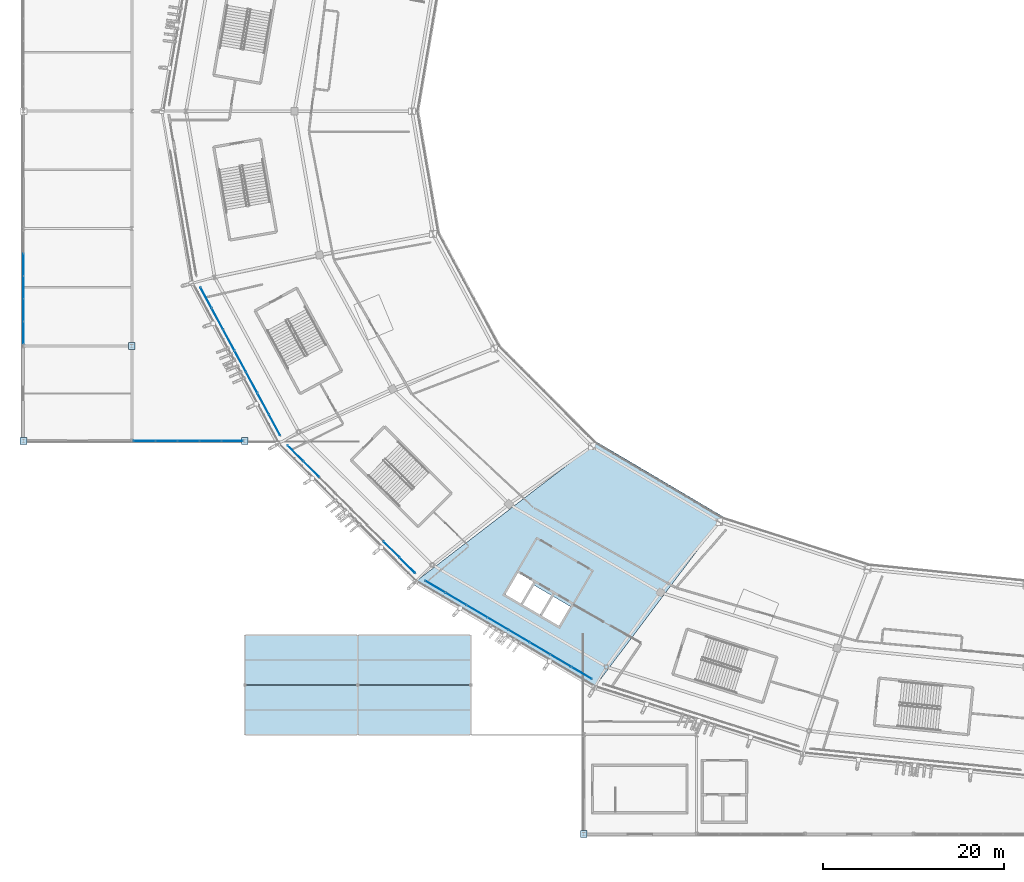
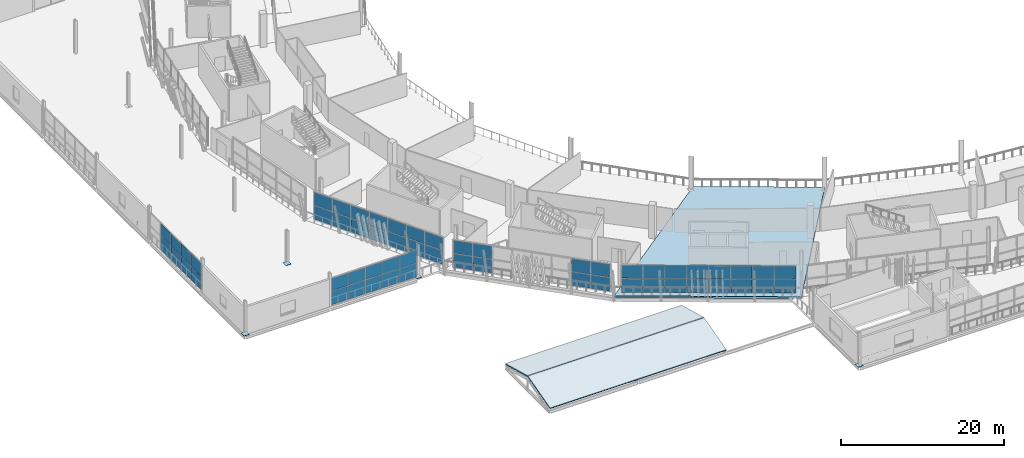
# One storey, part 91 of 179: 60 plates, 3 slabs, 6 elements without a shape of their own.
"""IFC4 building model written with IfcOpenShell, lengths in metres."""

from ifc_helpers import new_model, si_unit, direction, frame, origin, origin_2d, place, context, subcontext, project, spatial, polyline, rectangle, outline, extrude, material, layer, layer_set, type_object, element, aggregate, save


model = new_model("IFC4")

# Units and contexts
model_context = context("Model", 3, precision=1e-05, world=origin(), true_north=direction((0.0, 1.0)))
body_context = subcontext(model_context, "Body", "Model", "MODEL_VIEW")
ifc_project = project(units=[si_unit("LENGTHUNIT", "METRE"), si_unit("AREAUNIT", "SQUARE_METRE"), si_unit("VOLUMEUNIT", "CUBIC_METRE"), si_unit("PLANEANGLEUNIT", "RADIAN"), si_unit("MASSUNIT", "GRAM", prefix="KILO")], contexts=[model_context])

# Site, building, storey
site_placement = place(None, origin())
site = spatial("IfcSite", under=ifc_project, at=site_placement, CompositionType="ELEMENT")
building_placement = place(site_placement, origin())
building = spatial("IfcBuilding", under=site, at=building_placement, Name="Zlatoyarsky Gate Stadium", CompositionType="ELEMENT")
storey_placement = place(building_placement, frame((0.0, 0.0, 10.60009765625)))
storey = spatial("IfcBuildingStorey", under=building, at=storey_placement, Name="L02", CompositionType="ELEMENT", Elevation=10.60009765625)

# Roof, slabs
ifc_material_1 = material(Name="Standing-seam aluminium-zinc roofing with mineral wool insulation", Category="aluminium")
ifc_layer_1 = layer(ifc_material_1, 0.080078125)
ifc_layer_set_1 = layer_set([ifc_layer_1], Name="Standing-seam aluminium-zinc roofing with mineral wool insulation")
roof_type = type_object("IfcRoofType", Name="WINTER GARDEN PAVILION ROOF ASSEMBLY", PredefinedType="PAVILION_ROOF", material=ifc_layer_set_1)
roof_placement = place(storey_placement, origin())
roof = element("IfcRoof", 1, at=roof_placement, inside=storey, type_object=roof_type, Name="V6_SW pavilion roof", PredefinedType="PAVILION_ROOF")
ifc_material_2 = material(Name="Concrete C40/50", Category="concrete")
ifc_layer_2 = layer(ifc_material_2, 0.159912109375)
ifc_layer_set_2 = layer_set([ifc_layer_2], Name="Concrete C40/50")
slab_type_1 = type_object("IfcSlabType", Name="COMPOSITE PORTICO CANOPY SLAB 160", PredefinedType="ROOF", material=ifc_layer_set_2)
slab_1_placement = place(storey_placement, frame((24.5, 11.0, 0.0), z_axis=(0.0, -0.263080822719, 0.964773797694), x_axis=(1.0, 0.0, 0.0)))
slab_1 = element("IfcSlab", 2, at=slab_1_placement, type_object=slab_type_1, Name="V6_SW sloped roof slab 1", PredefinedType="ROOF", context=body_context, shape_type="SweptSolid", body=[
    extrude(outline(polyline([(0.0, 0.0), (25.0, 0.0), (25.0, 5.646917505320693), (0.0, 5.646917505320693), (0.0, 0.0)])), origin(), (0.0, 0.0, -1.0), 0.159912109375),
])
slab_2_placement = place(storey_placement, frame((49.5, 22.0, 0.0), z_axis=(0.0, 0.263080822719, 0.964773797694), x_axis=(-1.0, 0.0, 0.0)))
slab_2 = element("IfcSlab", 3, at=slab_2_placement, type_object=slab_type_1, Name="V6_SW sloped roof slab 2", PredefinedType="ROOF", context=body_context, shape_type="SweptSolid", body=[
    extrude(outline(polyline([(0.0, 0.0), (25.0, 0.0), (25.0, 5.646917505320693), (0.0, 5.646917505320693), (0.0, 0.0)])), origin(), (0.0, 0.0, -1.0), 0.159912109375),
])
aggregate(roof, [slab_1, slab_2])

# Slab
ifc_layer_3 = layer(ifc_material_2, 0.280029296875)
ifc_layer_set_3 = layer_set([ifc_layer_3], Name="Concrete C40/50")
slab_type_2 = type_object("IfcSlabType", Name="CONCRETE HOSPITALITY SLAB 280", PredefinedType="FLOOR", material=ifc_layer_set_3)
slab_3_placement = place(storey_placement, frame((0.0, 0.0, -0.280029296875)))
element("IfcSlab", 4, at=slab_3_placement, inside=storey, type_object=slab_type_2, Name="L02 bowl sector 15 slab", PredefinedType="FLOOR", context=body_context, shape_type="SweptSolid", body=[
    extrude(outline(polyline([(77.39990234375, 35.139892578125), (63.162109375, 16.19482421875), (43.346923828125, 27.9033203125), (63.482421875, 43.371826171875), (77.39990234375, 35.139892578125)]), holes=[polyline([(58.63037109375, 26.29541015625), (57.36669921875, 24.13818359375), (59.264892578125, 23.0263671875), (60.528564453125, 25.183349609375), (58.63037109375, 26.29541015625)]), polyline([(55.252685546875, 25.376708984375), (57.15087890625, 24.2646484375), (58.41455078125, 26.421875), (56.516357421875, 27.53369140625), (55.252685546875, 25.376708984375)]), polyline([(53.311279296875, 26.513916015625), (55.037109375, 25.5029296875), (56.452392578125, 27.9189453125), (54.7265625, 28.929931640625), (53.311279296875, 26.513916015625)])]), origin(), (0.0, 0.0, 1.0), 0.280029296875),
])

# Curtain wall, plates
ifc_material_3 = material(Name="Thermally broken anodised aluminium curtain wall", Category="aluminium")
curtain_wall_type_1 = type_object("IfcCurtainWallType", Name="WINTER GARDEN CONSERVATORY GLAZING", PredefinedType="USERDEFINED", material=ifc_material_3)
curtain_wall_1_placement = place(storey_placement, origin())
curtain_wall_1 = element("IfcCurtainWall", 5, at=curtain_wall_1_placement, inside=storey, type_object=curtain_wall_type_1, Name="Curtain wall CW-V4_WEST-L02-168", ObjectType="UNITISED GLAZING", PredefinedType="USERDEFINED")
ifc_material_4 = material(Name="Anodised aluminium spandrel panel", Category="aluminium")
ifc_layer_4 = layer(ifc_material_4, 0.05810546875)
ifc_layer_set_4 = layer_set([ifc_layer_4], Name="Anodised aluminium spandrel panel")
plate_type_1 = type_object("IfcPlateType", Name="INSULATED ALUMINIUM SPANDREL PANEL 58", PredefinedType="CURTAIN_PANEL", material=ifc_layer_set_4)
plate_1_placement = place(storey_placement, frame((0.0, 55.48583984375, 0.06494140625), z_axis=(0.0, 0.0, 1.0), x_axis=(0.0, 1.0, 0.0)))
plate_1 = element("IfcPlate", 6, at=plate_1_placement, type_object=plate_type_1, Name="CW-WG1 panel 1.1", PredefinedType="CURTAIN_PANEL", context=body_context, shape_type="SweptSolid", body=[
    extrude(rectangle(XDim=2.417724609375, YDim=0.05810546875, at=origin_2d()), origin(), (0.0, 0.0, 1.0), 2.052490234375),
])
plate_2_placement = place(storey_placement, frame((0.0, 55.48583984375, 2.182373046875), z_axis=(0.0, 0.0, 1.0), x_axis=(0.0, 1.0, 0.0)))
plate_2 = element("IfcPlate", 7, at=plate_2_placement, type_object=plate_type_1, Name="CW-WG1 panel 1.2", PredefinedType="CURTAIN_PANEL", context=body_context, shape_type="SweptSolid", body=[
    extrude(rectangle(XDim=2.417724609375, YDim=0.05810546875, at=origin_2d()), origin(), (0.0, 0.0, 1.0), 1.8525390625),
])
plate_3_placement = place(storey_placement, frame((0.0, 57.98486328125, 0.06494140625), z_axis=(0.0, 0.0, 1.0), x_axis=(0.0, 1.0, 0.0)))
plate_3 = element("IfcPlate", 8, at=plate_3_placement, type_object=plate_type_1, Name="CW-WG1 panel 2.1", PredefinedType="CURTAIN_PANEL", context=body_context, shape_type="SweptSolid", body=[
    extrude(rectangle(XDim=2.4501953125, YDim=0.05810546875, at=origin_2d()), origin(), (0.0, 0.0, 1.0), 2.052490234375),
])
plate_4_placement = place(storey_placement, frame((0.0, 57.98486328125, 2.182373046875), z_axis=(0.0, 0.0, 1.0), x_axis=(0.0, 1.0, 0.0)))
plate_4 = element("IfcPlate", 9, at=plate_4_placement, type_object=plate_type_1, Name="CW-WG1 panel 2.2", PredefinedType="CURTAIN_PANEL", context=body_context, shape_type="SweptSolid", body=[
    extrude(rectangle(XDim=2.4501953125, YDim=0.05810546875, at=origin_2d()), origin(), (0.0, 0.0, 1.0), 1.8525390625),
])
plate_5_placement = place(storey_placement, frame((0.0, 60.5, 0.06494140625), z_axis=(0.0, 0.0, 1.0), x_axis=(0.0, 1.0, 0.0)))
plate_5 = element("IfcPlate", 10, at=plate_5_placement, type_object=plate_type_1, Name="CW-WG1 panel 3.1", PredefinedType="CURTAIN_PANEL", context=body_context, shape_type="SweptSolid", body=[
    extrude(rectangle(XDim=2.4501953125, YDim=0.05810546875, at=origin_2d()), origin(), (0.0, 0.0, 1.0), 2.052490234375),
])
plate_6_placement = place(storey_placement, frame((0.0, 60.5, 2.182373046875), z_axis=(0.0, 0.0, 1.0), x_axis=(0.0, 1.0, 0.0)))
plate_6 = element("IfcPlate", 11, at=plate_6_placement, type_object=plate_type_1, Name="CW-WG1 panel 3.2", PredefinedType="CURTAIN_PANEL", context=body_context, shape_type="SweptSolid", body=[
    extrude(rectangle(XDim=2.4501953125, YDim=0.05810546875, at=origin_2d()), origin(), (0.0, 0.0, 1.0), 1.8525390625),
])
plate_7_placement = place(storey_placement, frame((0.0, 63.01513671875, 0.06494140625), z_axis=(0.0, 0.0, 1.0), x_axis=(0.0, 1.0, 0.0)))
plate_7 = element("IfcPlate", 12, at=plate_7_placement, type_object=plate_type_1, Name="CW-WG1 panel 4.1", PredefinedType="CURTAIN_PANEL", context=body_context, shape_type="SweptSolid", body=[
    extrude(rectangle(XDim=2.4501953125, YDim=0.05810546875, at=origin_2d()), origin(), (0.0, 0.0, 1.0), 2.052490234375),
])
plate_8_placement = place(storey_placement, frame((0.0, 63.01513671875, 2.182373046875), z_axis=(0.0, 0.0, 1.0), x_axis=(0.0, 1.0, 0.0)))
plate_8 = element("IfcPlate", 13, at=plate_8_placement, type_object=plate_type_1, Name="CW-WG1 panel 4.2", PredefinedType="CURTAIN_PANEL", context=body_context, shape_type="SweptSolid", body=[
    extrude(rectangle(XDim=2.4501953125, YDim=0.05810546875, at=origin_2d()), origin(), (0.0, 0.0, 1.0), 1.8525390625),
])
aggregate(curtain_wall_1, [plate_1, plate_2, plate_3, plate_4, plate_5, plate_6, plate_7, plate_8])

# Plates
ifc_material_5 = material(Name="Steel S355", Category="steel")
ifc_layer_5 = layer(ifc_material_5, 0.0400390625)
ifc_layer_set_5 = layer_set([ifc_layer_5], Name="Steel S355")
plate_type_2 = type_object("IfcPlateType", Name="STEEL COLUMN BASE PLATE 40", PredefinedType="USERDEFINED", material=ifc_layer_set_5)
for number, where, z_axis, x_axis, name in (
    (14, (0.0, 43.5, 0.0), (0.0, 0.0, 1.0), (1.0, 0.0, 0.0), "Column base plate BP-01 at WG-1-E L02"),
    (15, (12.0, 54.0, 0.0), (0.0, 0.0, 1.0), (1.0, 0.0, 0.0), "Column base plate BP-01 at WG-2-F L02"),
    (16, (24.5, 43.5, 0.0), (0.0, 0.0, 1.0), (1.0, 0.0, 0.0), "Column base plate BP-01 at WG-3-E L02"),
    (17, (62.0, 0.0, 0.0), (0.0, 0.0, 1.0), (1.0, 0.0, 0.0), "Column base plate BP-01 at WG-6-A L02"),
):
    element("IfcPlate", number, at=place(storey_placement, frame(where, z_axis=z_axis, x_axis=x_axis)), inside=storey, type_object=plate_type_2, Name=name, ObjectType="BASE PLATE", PredefinedType="USERDEFINED", context=body_context, shape_type="SweptSolid", body=[
        extrude(rectangle(XDim=0.75, YDim=0.75, at=origin_2d()), origin(), (0.0, 0.0, 1.0), 0.0400390625),
    ])

# Curtain wall, plates
curtain_wall_type_2 = type_object("IfcCurtainWallType", Name="UNITISED HOSPITALITY GLAZING L02", PredefinedType="USERDEFINED", material=ifc_material_3)
curtain_wall_2_placement = place(storey_placement, origin())
curtain_wall_2 = element("IfcCurtainWall", 18, at=curtain_wall_2_placement, inside=storey, type_object=curtain_wall_type_2, Name="Curtain wall CW-L02-13", ObjectType="UNITISED GLAZING", PredefinedType="USERDEFINED")
ifc_material_6 = material(Name="Triple-glazed argon low-e architectural glass", Category="glass")
ifc_layer_6 = layer(ifc_material_6, 0.0380859375)
ifc_layer_set_6 = layer_set([ifc_layer_6], Name="Triple-glazed argon low-e architectural glass")
plate_type_3 = type_object("IfcPlateType", Name="TRIPLE GLAZED LOW E CURTAIN PANEL 38", PredefinedType="CURTAIN_PANEL", material=ifc_layer_set_6)
plate_9_placement = place(storey_placement, frame((20.2099609375, 59.3505859375, 0.06494140625), z_axis=(0.0, 0.0, 1.0), x_axis=(0.474536449165, -0.880235853856, 0.0)))
plate_9 = element("IfcPlate", 19, at=plate_9_placement, type_object=plate_type_3, Name="CW-UG2 panel 1.1", PredefinedType="CURTAIN_PANEL", context=body_context, shape_type="SweptSolid", body=[
    extrude(rectangle(XDim=2.5732421875, YDim=0.0380859375, at=origin_2d()), origin(), (0.0, 0.0, 1.0), 2.052490234375),
])
plate_10_placement = place(storey_placement, frame((20.2099609375, 59.3505859375, 2.1826171875), z_axis=(0.0, 0.0, 1.0), x_axis=(0.474536449165, -0.880235853856, 0.0)))
plate_10 = element("IfcPlate", 20, at=plate_10_placement, type_object=plate_type_3, Name="CW-UG2 panel 1.2", PredefinedType="CURTAIN_PANEL", context=body_context, shape_type="SweptSolid", body=[
    extrude(rectangle(XDim=2.5732421875, YDim=0.0380859375, at=origin_2d()), origin(), (0.0, 0.0, 1.0), 1.952392578125),
])
plate_11_placement = place(storey_placement, frame((21.4697265625, 57.013916015625, 0.06494140625), z_axis=(0.0, 0.0, 1.0), x_axis=(0.474536449165, -0.880235853856, 0.0)))
plate_11 = element("IfcPlate", 21, at=plate_11_placement, type_object=plate_type_3, Name="CW-UG2 panel 2.1", PredefinedType="CURTAIN_PANEL", context=body_context, shape_type="SweptSolid", body=[
    extrude(rectangle(XDim=2.605712890625, YDim=0.0380859375, at=origin_2d()), origin(), (0.0, 0.0, 1.0), 2.052490234375),
])
plate_12_placement = place(storey_placement, frame((21.4697265625, 57.013916015625, 2.1826171875), z_axis=(0.0, 0.0, 1.0), x_axis=(0.474536449165, -0.880235853856, 0.0)))
plate_12 = element("IfcPlate", 22, at=plate_12_placement, type_object=plate_type_3, Name="CW-UG2 panel 2.2", PredefinedType="CURTAIN_PANEL", context=body_context, shape_type="SweptSolid", body=[
    extrude(rectangle(XDim=2.605712890625, YDim=0.0380859375, at=origin_2d()), origin(), (0.0, 0.0, 1.0), 1.952392578125),
])
plate_13_placement = place(storey_placement, frame((22.737060546875, 54.6630859375, 0.06494140625), z_axis=(0.0, 0.0, 1.0), x_axis=(0.474536449165, -0.880235853856, 0.0)))
plate_13 = element("IfcPlate", 23, at=plate_13_placement, type_object=plate_type_3, Name="CW-UG2 panel 3.1", PredefinedType="CURTAIN_PANEL", context=body_context, shape_type="SweptSolid", body=[
    extrude(rectangle(XDim=2.605712890625, YDim=0.0380859375, at=origin_2d()), origin(), (0.0, 0.0, 1.0), 2.052490234375),
])
plate_14_placement = place(storey_placement, frame((22.737060546875, 54.6630859375, 2.1826171875), z_axis=(0.0, 0.0, 1.0), x_axis=(0.474536449165, -0.880235853856, 0.0)))
plate_14 = element("IfcPlate", 24, at=plate_14_placement, type_object=plate_type_3, Name="CW-UG2 panel 3.2", PredefinedType="CURTAIN_PANEL", context=body_context, shape_type="SweptSolid", body=[
    extrude(rectangle(XDim=2.605712890625, YDim=0.0380859375, at=origin_2d()), origin(), (0.0, 0.0, 1.0), 1.952392578125),
])
plate_15_placement = place(storey_placement, frame((24.00439453125, 52.312255859375, 0.06494140625), z_axis=(0.0, 0.0, 1.0), x_axis=(0.474536449165, -0.880235853856, 0.0)))
plate_15 = element("IfcPlate", 25, at=plate_15_placement, type_object=plate_type_3, Name="CW-UG2 panel 4.1", PredefinedType="CURTAIN_PANEL", context=body_context, shape_type="SweptSolid", body=[
    extrude(rectangle(XDim=2.605712890625, YDim=0.0380859375, at=origin_2d()), origin(), (0.0, 0.0, 1.0), 2.052490234375),
])
plate_16_placement = place(storey_placement, frame((24.00439453125, 52.312255859375, 2.1826171875), z_axis=(0.0, 0.0, 1.0), x_axis=(0.474536449165, -0.880235853856, 0.0)))
plate_16 = element("IfcPlate", 26, at=plate_16_placement, type_object=plate_type_3, Name="CW-UG2 panel 4.2", PredefinedType="CURTAIN_PANEL", context=body_context, shape_type="SweptSolid", body=[
    extrude(rectangle(XDim=2.605712890625, YDim=0.0380859375, at=origin_2d()), origin(), (0.0, 0.0, 1.0), 1.952392578125),
])
plate_17_placement = place(storey_placement, frame((25.271728515625, 49.96142578125, 0.06494140625), z_axis=(0.0, 0.0, 1.0), x_axis=(0.474536449165, -0.880235853856, 0.0)))
plate_17 = element("IfcPlate", 27, at=plate_17_placement, type_object=plate_type_3, Name="CW-UG2 panel 5.1", PredefinedType="CURTAIN_PANEL", context=body_context, shape_type="SweptSolid", body=[
    extrude(rectangle(XDim=2.605712890625, YDim=0.0380859375, at=origin_2d()), origin(), (0.0, 0.0, 1.0), 2.052490234375),
])
plate_18_placement = place(storey_placement, frame((25.271728515625, 49.96142578125, 2.1826171875), z_axis=(0.0, 0.0, 1.0), x_axis=(0.474536449165, -0.880235853856, 0.0)))
plate_18 = element("IfcPlate", 28, at=plate_18_placement, type_object=plate_type_3, Name="CW-UG2 panel 5.2", PredefinedType="CURTAIN_PANEL", context=body_context, shape_type="SweptSolid", body=[
    extrude(rectangle(XDim=2.605712890625, YDim=0.0380859375, at=origin_2d()), origin(), (0.0, 0.0, 1.0), 1.952392578125),
])
plate_19_placement = place(storey_placement, frame((26.5390625, 47.610595703125, 0.06494140625), z_axis=(0.0, 0.0, 1.0), x_axis=(0.474536449165, -0.880235853856, 0.0)))
plate_19 = element("IfcPlate", 29, at=plate_19_placement, type_object=plate_type_3, Name="CW-UG2 panel 6.1", PredefinedType="CURTAIN_PANEL", context=body_context, shape_type="SweptSolid", body=[
    extrude(rectangle(XDim=2.605712890625, YDim=0.0380859375, at=origin_2d()), origin(), (0.0, 0.0, 1.0), 2.052490234375),
])
plate_20_placement = place(storey_placement, frame((26.5390625, 47.610595703125, 2.1826171875), z_axis=(0.0, 0.0, 1.0), x_axis=(0.474536449165, -0.880235853856, 0.0)))
plate_20 = element("IfcPlate", 30, at=plate_20_placement, type_object=plate_type_3, Name="CW-UG2 panel 6.2", PredefinedType="CURTAIN_PANEL", context=body_context, shape_type="SweptSolid", body=[
    extrude(rectangle(XDim=2.605712890625, YDim=0.0380859375, at=origin_2d()), origin(), (0.0, 0.0, 1.0), 1.952392578125),
])
plate_21_placement = place(storey_placement, frame((27.798828125, 45.27392578125, 0.06494140625), z_axis=(0.0, 0.0, 1.0), x_axis=(0.474536449165, -0.880235853856, 0.0)))
plate_21 = element("IfcPlate", 31, at=plate_21_placement, type_object=plate_type_3, Name="CW-UG2 panel 7.1", PredefinedType="CURTAIN_PANEL", context=body_context, shape_type="SweptSolid", body=[
    extrude(rectangle(XDim=2.5732421875, YDim=0.0380859375, at=origin_2d()), origin(), (0.0, 0.0, 1.0), 2.052490234375),
])
plate_22_placement = place(storey_placement, frame((27.798828125, 45.27392578125, 2.1826171875), z_axis=(0.0, 0.0, 1.0), x_axis=(0.474536449165, -0.880235853856, 0.0)))
plate_22 = element("IfcPlate", 32, at=plate_22_placement, type_object=plate_type_3, Name="CW-UG2 panel 7.2", PredefinedType="CURTAIN_PANEL", context=body_context, shape_type="SweptSolid", body=[
    extrude(rectangle(XDim=2.5732421875, YDim=0.0380859375, at=origin_2d()), origin(), (0.0, 0.0, 1.0), 1.952392578125),
])
aggregate(curtain_wall_2, [plate_9, plate_10, plate_11, plate_12, plate_13, plate_14, plate_15, plate_16, plate_17, plate_18, plate_19, plate_20, plate_21, plate_22])

curtain_wall_3_placement = place(storey_placement, origin())
curtain_wall_3 = element("IfcCurtainWall", 33, at=curtain_wall_3_placement, inside=storey, type_object=curtain_wall_type_2, Name="Curtain wall CW-L02-14", ObjectType="UNITISED GLAZING", PredefinedType="USERDEFINED")
plate_23_placement = place(storey_placement, frame((30.105224609375, 42.153564453125, 0.06494140625), z_axis=(0.0, 0.0, 1.0), x_axis=(0.706625557031, -0.707587678066, 0.0)))
plate_23 = element("IfcPlate", 34, at=plate_23_placement, type_object=plate_type_3, Name="CW-UG2 panel 1.1", PredefinedType="CURTAIN_PANEL", context=body_context, shape_type="SweptSolid", body=[
    extrude(rectangle(XDim=2.409912109375, YDim=0.0380859375, at=origin_2d()), origin(), (0.0, 0.0, 1.0), 2.052490234375),
])
plate_24_placement = place(storey_placement, frame((30.105224609375, 42.153564453125, 2.1826171875), z_axis=(0.0, 0.0, 1.0), x_axis=(0.706625557031, -0.707587678066, 0.0)))
plate_24 = element("IfcPlate", 35, at=plate_24_placement, type_object=plate_type_3, Name="CW-UG2 panel 1.2", PredefinedType="CURTAIN_PANEL", context=body_context, shape_type="SweptSolid", body=[
    extrude(rectangle(XDim=2.409912109375, YDim=0.0380859375, at=origin_2d()), origin(), (0.0, 0.0, 1.0), 1.952392578125),
])
plate_25_placement = place(storey_placement, frame((31.865478515625, 40.390869140625, 0.06494140625), z_axis=(0.0, 0.0, 1.0), x_axis=(0.706625557031, -0.707587678066, 0.0)))
plate_25 = element("IfcPlate", 36, at=plate_25_placement, type_object=plate_type_3, Name="CW-UG2 panel 2.1", PredefinedType="CURTAIN_PANEL", context=body_context, shape_type="SweptSolid", body=[
    extrude(rectangle(XDim=2.4423828125, YDim=0.0380859375, at=origin_2d()), origin(), (0.0, 0.0, 1.0), 2.052490234375),
])
plate_26_placement = place(storey_placement, frame((31.865478515625, 40.390869140625, 2.1826171875), z_axis=(0.0, 0.0, 1.0), x_axis=(0.706625557031, -0.707587678066, 0.0)))
plate_26 = element("IfcPlate", 37, at=plate_26_placement, type_object=plate_type_3, Name="CW-UG2 panel 2.2", PredefinedType="CURTAIN_PANEL", context=body_context, shape_type="SweptSolid", body=[
    extrude(rectangle(XDim=2.4423828125, YDim=0.0380859375, at=origin_2d()), origin(), (0.0, 0.0, 1.0), 1.952392578125),
])
plate_27_placement = place(storey_placement, frame((40.724853515625, 31.51953125, 0.06494140625), z_axis=(0.0, 0.0, 1.0), x_axis=(0.706625557031, -0.707587678066, 0.0)))
plate_27 = element("IfcPlate", 38, at=plate_27_placement, type_object=plate_type_3, Name="CW-UG2 panel 7.1", PredefinedType="CURTAIN_PANEL", context=body_context, shape_type="SweptSolid", body=[
    extrude(rectangle(XDim=2.4423828125, YDim=0.0380859375, at=origin_2d()), origin(), (0.0, 0.0, 1.0), 2.052490234375),
])
plate_28_placement = place(storey_placement, frame((40.724853515625, 31.51953125, 2.1826171875), z_axis=(0.0, 0.0, 1.0), x_axis=(0.706625557031, -0.707587678066, 0.0)))
plate_28 = element("IfcPlate", 39, at=plate_28_placement, type_object=plate_type_3, Name="CW-UG2 panel 7.2", PredefinedType="CURTAIN_PANEL", context=body_context, shape_type="SweptSolid", body=[
    extrude(rectangle(XDim=2.4423828125, YDim=0.0380859375, at=origin_2d()), origin(), (0.0, 0.0, 1.0), 1.952392578125),
])
plate_29_placement = place(storey_placement, frame((42.485107421875, 29.7568359375, 0.06494140625), z_axis=(0.0, 0.0, 1.0), x_axis=(0.706625557031, -0.707587678066, 0.0)))
plate_29 = element("IfcPlate", 40, at=plate_29_placement, type_object=plate_type_3, Name="CW-UG2 panel 8.1", PredefinedType="CURTAIN_PANEL", context=body_context, shape_type="SweptSolid", body=[
    extrude(rectangle(XDim=2.409912109375, YDim=0.0380859375, at=origin_2d()), origin(), (0.0, 0.0, 1.0), 2.052490234375),
])
plate_30_placement = place(storey_placement, frame((42.485107421875, 29.7568359375, 2.1826171875), z_axis=(0.0, 0.0, 1.0), x_axis=(0.706625557031, -0.707587678066, 0.0)))
plate_30 = element("IfcPlate", 41, at=plate_30_placement, type_object=plate_type_3, Name="CW-UG2 panel 8.2", PredefinedType="CURTAIN_PANEL", context=body_context, shape_type="SweptSolid", body=[
    extrude(rectangle(XDim=2.409912109375, YDim=0.0380859375, at=origin_2d()), origin(), (0.0, 0.0, 1.0), 1.952392578125),
])
aggregate(curtain_wall_3, [plate_23, plate_24, plate_25, plate_26, plate_27, plate_28, plate_29, plate_30])

curtain_wall_4_placement = place(storey_placement, origin())
curtain_wall_4 = element("IfcCurtainWall", 42, at=curtain_wall_4_placement, inside=storey, type_object=curtain_wall_type_2, Name="Curtain wall CW-L02-15", ObjectType="UNITISED GLAZING", PredefinedType="USERDEFINED")
plate_31_placement = place(storey_placement, frame((45.5751953125, 27.376220703125, 0.06494140625), z_axis=(0.0, 0.0, 1.0), x_axis=(0.861425239802, -0.507884392586, 0.0)))
plate_31 = element("IfcPlate", 43, at=plate_31_placement, type_object=plate_type_3, Name="CW-UG2 panel 1.1", PredefinedType="CURTAIN_PANEL", context=body_context, shape_type="SweptSolid", body=[
    extrude(rectangle(XDim=2.59423828125, YDim=0.0380859375, at=origin_2d()), origin(), (0.0, 0.0, 1.0), 2.052490234375),
])
plate_32_placement = place(storey_placement, frame((45.5751953125, 27.376220703125, 2.1826171875), z_axis=(0.0, 0.0, 1.0), x_axis=(0.861425239802, -0.507884392586, 0.0)))
plate_32 = element("IfcPlate", 44, at=plate_32_placement, type_object=plate_type_3, Name="CW-UG2 panel 1.2", PredefinedType="CURTAIN_PANEL", context=body_context, shape_type="SweptSolid", body=[
    extrude(rectangle(XDim=2.59423828125, YDim=0.0380859375, at=origin_2d()), origin(), (0.0, 0.0, 1.0), 1.952392578125),
])
plate_33_placement = place(storey_placement, frame((47.8798828125, 26.017333984375, 0.06494140625), z_axis=(0.0, 0.0, 1.0), x_axis=(0.861425239802, -0.507884392586, 0.0)))
plate_33 = element("IfcPlate", 45, at=plate_33_placement, type_object=plate_type_3, Name="CW-UG2 panel 2.1", PredefinedType="CURTAIN_PANEL", context=body_context, shape_type="SweptSolid", body=[
    extrude(rectangle(XDim=2.626708984375, YDim=0.0380859375, at=origin_2d()), origin(), (0.0, 0.0, 1.0), 2.052490234375),
])
plate_34_placement = place(storey_placement, frame((47.8798828125, 26.017333984375, 2.1826171875), z_axis=(0.0, 0.0, 1.0), x_axis=(0.861425239802, -0.507884392586, 0.0)))
plate_34 = element("IfcPlate", 46, at=plate_34_placement, type_object=plate_type_3, Name="CW-UG2 panel 2.2", PredefinedType="CURTAIN_PANEL", context=body_context, shape_type="SweptSolid", body=[
    extrude(rectangle(XDim=2.626708984375, YDim=0.0380859375, at=origin_2d()), origin(), (0.0, 0.0, 1.0), 1.952392578125),
])
plate_35_placement = place(storey_placement, frame((50.19873046875, 24.650390625, 0.06494140625), z_axis=(0.0, 0.0, 1.0), x_axis=(0.861425239802, -0.507884392586, 0.0)))
plate_35 = element("IfcPlate", 47, at=plate_35_placement, type_object=plate_type_3, Name="CW-UG2 panel 3.1", PredefinedType="CURTAIN_PANEL", context=body_context, shape_type="SweptSolid", body=[
    extrude(rectangle(XDim=2.626708984375, YDim=0.0380859375, at=origin_2d()), origin(), (0.0, 0.0, 1.0), 2.052490234375),
])
plate_36_placement = place(storey_placement, frame((50.19873046875, 24.650390625, 2.1826171875), z_axis=(0.0, 0.0, 1.0), x_axis=(0.861425239802, -0.507884392586, 0.0)))
plate_36 = element("IfcPlate", 48, at=plate_36_placement, type_object=plate_type_3, Name="CW-UG2 panel 3.2", PredefinedType="CURTAIN_PANEL", context=body_context, shape_type="SweptSolid", body=[
    extrude(rectangle(XDim=2.626708984375, YDim=0.0380859375, at=origin_2d()), origin(), (0.0, 0.0, 1.0), 1.952392578125),
])
plate_37_placement = place(storey_placement, frame((52.517578125, 23.283203125, 0.06494140625), z_axis=(0.0, 0.0, 1.0), x_axis=(0.861425239802, -0.507884392586, 0.0)))
plate_37 = element("IfcPlate", 49, at=plate_37_placement, type_object=plate_type_3, Name="CW-UG2 panel 4.1", PredefinedType="CURTAIN_PANEL", context=body_context, shape_type="SweptSolid", body=[
    extrude(rectangle(XDim=2.626708984375, YDim=0.0380859375, at=origin_2d()), origin(), (0.0, 0.0, 1.0), 2.052490234375),
])
plate_38_placement = place(storey_placement, frame((52.517578125, 23.283203125, 2.1826171875), z_axis=(0.0, 0.0, 1.0), x_axis=(0.861425239802, -0.507884392586, 0.0)))
plate_38 = element("IfcPlate", 50, at=plate_38_placement, type_object=plate_type_3, Name="CW-UG2 panel 4.2", PredefinedType="CURTAIN_PANEL", context=body_context, shape_type="SweptSolid", body=[
    extrude(rectangle(XDim=2.626708984375, YDim=0.0380859375, at=origin_2d()), origin(), (0.0, 0.0, 1.0), 1.952392578125),
])
plate_39_placement = place(storey_placement, frame((54.83642578125, 21.916015625, 0.06494140625), z_axis=(0.0, 0.0, 1.0), x_axis=(0.861425239802, -0.507884392586, 0.0)))
plate_39 = element("IfcPlate", 51, at=plate_39_placement, type_object=plate_type_3, Name="CW-UG2 panel 5.1", PredefinedType="CURTAIN_PANEL", context=body_context, shape_type="SweptSolid", body=[
    extrude(rectangle(XDim=2.626708984375, YDim=0.0380859375, at=origin_2d()), origin(), (0.0, 0.0, 1.0), 2.052490234375),
])
plate_40_placement = place(storey_placement, frame((54.83642578125, 21.916015625, 2.1826171875), z_axis=(0.0, 0.0, 1.0), x_axis=(0.861425239802, -0.507884392586, 0.0)))
plate_40 = element("IfcPlate", 52, at=plate_40_placement, type_object=plate_type_3, Name="CW-UG2 panel 5.2", PredefinedType="CURTAIN_PANEL", context=body_context, shape_type="SweptSolid", body=[
    extrude(rectangle(XDim=2.626708984375, YDim=0.0380859375, at=origin_2d()), origin(), (0.0, 0.0, 1.0), 1.952392578125),
])
plate_41_placement = place(storey_placement, frame((57.155029296875, 20.548828125, 0.06494140625), z_axis=(0.0, 0.0, 1.0), x_axis=(0.861425239802, -0.507884392586, 0.0)))
plate_41 = element("IfcPlate", 53, at=plate_41_placement, type_object=plate_type_3, Name="CW-UG2 panel 6.1", PredefinedType="CURTAIN_PANEL", context=body_context, shape_type="SweptSolid", body=[
    extrude(rectangle(XDim=2.626708984375, YDim=0.0380859375, at=origin_2d()), origin(), (0.0, 0.0, 1.0), 2.052490234375),
])
plate_42_placement = place(storey_placement, frame((57.155029296875, 20.548828125, 2.1826171875), z_axis=(0.0, 0.0, 1.0), x_axis=(0.861425239802, -0.507884392586, 0.0)))
plate_42 = element("IfcPlate", 54, at=plate_42_placement, type_object=plate_type_3, Name="CW-UG2 panel 6.2", PredefinedType="CURTAIN_PANEL", context=body_context, shape_type="SweptSolid", body=[
    extrude(rectangle(XDim=2.626708984375, YDim=0.0380859375, at=origin_2d()), origin(), (0.0, 0.0, 1.0), 1.952392578125),
])
plate_43_placement = place(storey_placement, frame((59.473876953125, 19.181884765625, 0.06494140625), z_axis=(0.0, 0.0, 1.0), x_axis=(0.861425239802, -0.507884392586, 0.0)))
plate_43 = element("IfcPlate", 55, at=plate_43_placement, type_object=plate_type_3, Name="CW-UG2 panel 7.1", PredefinedType="CURTAIN_PANEL", context=body_context, shape_type="SweptSolid", body=[
    extrude(rectangle(XDim=2.626708984375, YDim=0.0380859375, at=origin_2d()), origin(), (0.0, 0.0, 1.0), 2.052490234375),
])
plate_44_placement = place(storey_placement, frame((59.473876953125, 19.181884765625, 2.1826171875), z_axis=(0.0, 0.0, 1.0), x_axis=(0.861425239802, -0.507884392586, 0.0)))
plate_44 = element("IfcPlate", 56, at=plate_44_placement, type_object=plate_type_3, Name="CW-UG2 panel 7.2", PredefinedType="CURTAIN_PANEL", context=body_context, shape_type="SweptSolid", body=[
    extrude(rectangle(XDim=2.626708984375, YDim=0.0380859375, at=origin_2d()), origin(), (0.0, 0.0, 1.0), 1.952392578125),
])
plate_45_placement = place(storey_placement, frame((61.77880859375, 17.822998046875, 0.06494140625), z_axis=(0.0, 0.0, 1.0), x_axis=(0.861425239802, -0.507884392586, 0.0)))
plate_45 = element("IfcPlate", 57, at=plate_45_placement, type_object=plate_type_3, Name="CW-UG2 panel 8.1", PredefinedType="CURTAIN_PANEL", context=body_context, shape_type="SweptSolid", body=[
    extrude(rectangle(XDim=2.59423828125, YDim=0.0380859375, at=origin_2d()), origin(), (0.0, 0.0, 1.0), 2.052490234375),
])
plate_46_placement = place(storey_placement, frame((61.77880859375, 17.822998046875, 2.1826171875), z_axis=(0.0, 0.0, 1.0), x_axis=(0.861425239802, -0.507884392586, 0.0)))
plate_46 = element("IfcPlate", 58, at=plate_46_placement, type_object=plate_type_3, Name="CW-UG2 panel 8.2", PredefinedType="CURTAIN_PANEL", context=body_context, shape_type="SweptSolid", body=[
    extrude(rectangle(XDim=2.59423828125, YDim=0.0380859375, at=origin_2d()), origin(), (0.0, 0.0, 1.0), 1.952392578125),
])
aggregate(curtain_wall_4, [plate_31, plate_32, plate_33, plate_34, plate_35, plate_36, plate_37, plate_38, plate_39, plate_40, plate_41, plate_42, plate_43, plate_44, plate_45, plate_46])

curtain_wall_5_placement = place(storey_placement, origin())
curtain_wall_5 = element("IfcCurtainWall", 59, at=curtain_wall_5_placement, inside=storey, type_object=curtain_wall_type_1, Name="Curtain wall CW-V4_WEST-L02-175", ObjectType="UNITISED GLAZING", PredefinedType="USERDEFINED")
plate_47_placement = place(storey_placement, frame((13.395751953125, 43.5, 0.06494140625), z_axis=(0.0, 0.0, 1.0), x_axis=(1.0, 0.0, 0.0)))
plate_47 = element("IfcPlate", 60, at=plate_47_placement, type_object=plate_type_3, Name="CW-WG1 panel 1.1", PredefinedType="CURTAIN_PANEL", context=body_context, shape_type="SweptSolid", body=[
    extrude(rectangle(XDim=2.337646484375, YDim=0.0380859375, at=origin_2d()), origin(), (0.0, 0.0, 1.0), 2.052490234375),
])
plate_48_placement = place(storey_placement, frame((13.395751953125, 43.5, 2.182373046875), z_axis=(0.0, 0.0, 1.0), x_axis=(1.0, 0.0, 0.0)))
plate_48 = element("IfcPlate", 61, at=plate_48_placement, type_object=plate_type_3, Name="CW-WG1 panel 1.2", PredefinedType="CURTAIN_PANEL", context=body_context, shape_type="SweptSolid", body=[
    extrude(rectangle(XDim=2.337646484375, YDim=0.0380859375, at=origin_2d()), origin(), (0.0, 0.0, 1.0), 1.8525390625),
])
plate_49_placement = place(storey_placement, frame((15.814697265625, 43.5, 0.06494140625), z_axis=(0.0, 0.0, 1.0), x_axis=(1.0, 0.0, 0.0)))
plate_49 = element("IfcPlate", 62, at=plate_49_placement, type_object=plate_type_3, Name="CW-WG1 panel 2.1", PredefinedType="CURTAIN_PANEL", context=body_context, shape_type="SweptSolid", body=[
    extrude(rectangle(XDim=2.3701171875, YDim=0.0380859375, at=origin_2d()), origin(), (0.0, 0.0, 1.0), 2.052490234375),
])
plate_50_placement = place(storey_placement, frame((15.814697265625, 43.5, 2.182373046875), z_axis=(0.0, 0.0, 1.0), x_axis=(1.0, 0.0, 0.0)))
plate_50 = element("IfcPlate", 63, at=plate_50_placement, type_object=plate_type_3, Name="CW-WG1 panel 2.2", PredefinedType="CURTAIN_PANEL", context=body_context, shape_type="SweptSolid", body=[
    extrude(rectangle(XDim=2.3701171875, YDim=0.0380859375, at=origin_2d()), origin(), (0.0, 0.0, 1.0), 1.8525390625),
])
plate_51_placement = place(storey_placement, frame((18.25, 43.5, 0.06494140625), z_axis=(0.0, 0.0, 1.0), x_axis=(1.0, 0.0, 0.0)))
plate_51 = element("IfcPlate", 64, at=plate_51_placement, type_object=plate_type_3, Name="CW-WG1 panel 3.1", PredefinedType="CURTAIN_PANEL", context=body_context, shape_type="SweptSolid", body=[
    extrude(rectangle(XDim=2.3701171875, YDim=0.0380859375, at=origin_2d()), origin(), (0.0, 0.0, 1.0), 2.052490234375),
])
plate_52_placement = place(storey_placement, frame((18.25, 43.5, 2.182373046875), z_axis=(0.0, 0.0, 1.0), x_axis=(1.0, 0.0, 0.0)))
plate_52 = element("IfcPlate", 65, at=plate_52_placement, type_object=plate_type_3, Name="CW-WG1 panel 3.2", PredefinedType="CURTAIN_PANEL", context=body_context, shape_type="SweptSolid", body=[
    extrude(rectangle(XDim=2.3701171875, YDim=0.0380859375, at=origin_2d()), origin(), (0.0, 0.0, 1.0), 1.8525390625),
])
plate_53_placement = place(storey_placement, frame((20.685302734375, 43.5, 0.06494140625), z_axis=(0.0, 0.0, 1.0), x_axis=(1.0, 0.0, 0.0)))
plate_53 = element("IfcPlate", 66, at=plate_53_placement, type_object=plate_type_3, Name="CW-WG1 panel 4.1", PredefinedType="CURTAIN_PANEL", context=body_context, shape_type="SweptSolid", body=[
    extrude(rectangle(XDim=2.3701171875, YDim=0.0380859375, at=origin_2d()), origin(), (0.0, 0.0, 1.0), 2.052490234375),
])
plate_54_placement = place(storey_placement, frame((20.685302734375, 43.5, 2.182373046875), z_axis=(0.0, 0.0, 1.0), x_axis=(1.0, 0.0, 0.0)))
plate_54 = element("IfcPlate", 67, at=plate_54_placement, type_object=plate_type_3, Name="CW-WG1 panel 4.2", PredefinedType="CURTAIN_PANEL", context=body_context, shape_type="SweptSolid", body=[
    extrude(rectangle(XDim=2.3701171875, YDim=0.0380859375, at=origin_2d()), origin(), (0.0, 0.0, 1.0), 1.8525390625),
])
plate_55_placement = place(storey_placement, frame((23.104248046875, 43.5, 0.06494140625), z_axis=(0.0, 0.0, 1.0), x_axis=(1.0, 0.0, 0.0)))
plate_55 = element("IfcPlate", 68, at=plate_55_placement, type_object=plate_type_3, Name="CW-WG1 panel 5.1", PredefinedType="CURTAIN_PANEL", context=body_context, shape_type="SweptSolid", body=[
    extrude(rectangle(XDim=2.337646484375, YDim=0.0380859375, at=origin_2d()), origin(), (0.0, 0.0, 1.0), 2.052490234375),
])
plate_56_placement = place(storey_placement, frame((23.104248046875, 43.5, 2.182373046875), z_axis=(0.0, 0.0, 1.0), x_axis=(1.0, 0.0, 0.0)))
plate_56 = element("IfcPlate", 69, at=plate_56_placement, type_object=plate_type_3, Name="CW-WG1 panel 5.2", PredefinedType="CURTAIN_PANEL", context=body_context, shape_type="SweptSolid", body=[
    extrude(rectangle(XDim=2.337646484375, YDim=0.0380859375, at=origin_2d()), origin(), (0.0, 0.0, 1.0), 1.8525390625),
])
aggregate(curtain_wall_5, [plate_47, plate_48, plate_49, plate_50, plate_51, plate_52, plate_53, plate_54, plate_55, plate_56])

save(model, "model.ifc")
